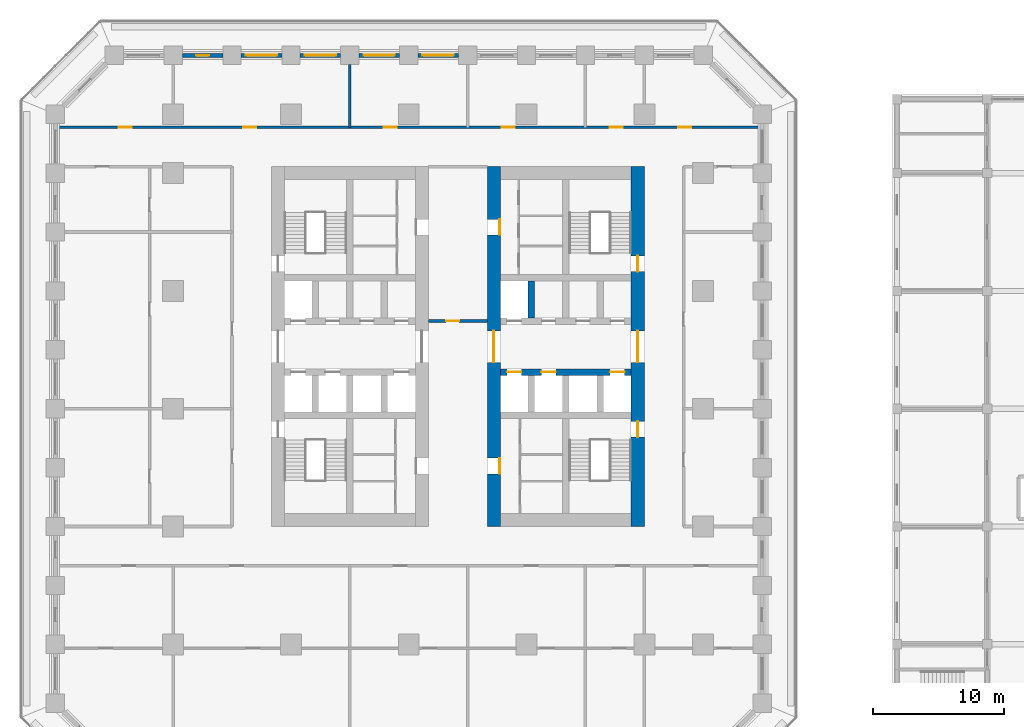
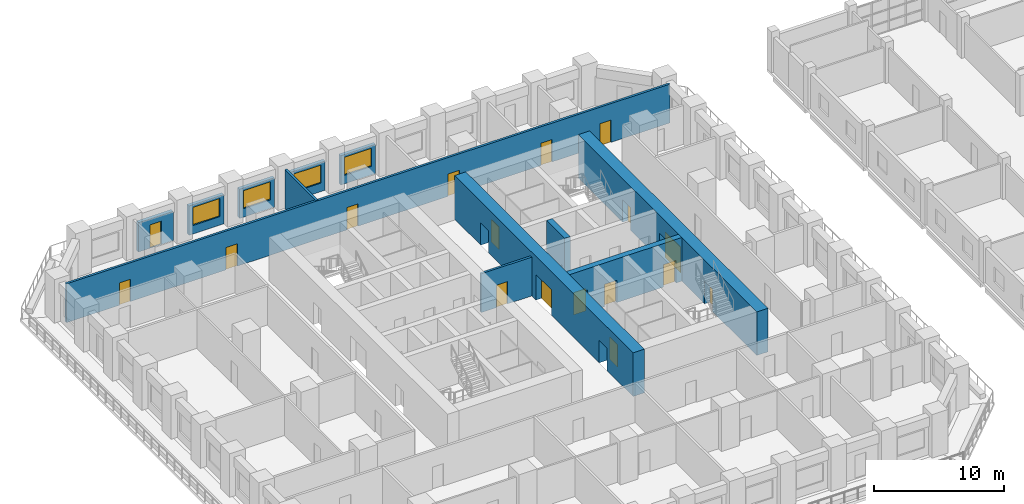
# One storey, part 29 of 42: 17 doors, 12 walls, 4 windows, 21 openings.
"""IFC4 building model written with IfcOpenShell, lengths in metres."""

import ifcopenshell
import ifcopenshell.guid

model = None  # the IFC model being written
_history = None  # IfcOwnerHistory: only IFC2X3 demands one
_inside = {}  # id of a spatial element -> (the spatial element, [elements in it])
_under = {}  # id of a project, library or spatial element -> (it, [spatial elements below it])
_declared = {}  # id of a project -> (the project, [libraries it declares])
_typed = {}  # id of a type object -> (the type object, [elements of that type])
_made_of = {}  # id of a material, layer set ... -> (it, [elements and type objects made of it])


def new_model(schema):
    """Start an empty IFC model of exactly this schema.

    Asked for "IFC4X3", IfcOpenShell would pick the latest addendum, in which some entities
    have other attributes; the version numbers below select the first issue.
    IFC2X3 requires an IfcOwnerHistory on every rooted entity: one is made here for all.
    """
    global model, _history
    if schema == "IFC4X3":
        model = ifcopenshell.file(schema_version=(4, 3, 0, 0))
    else:
        model = ifcopenshell.file(schema=schema)
    _inside.clear()
    _under.clear()
    _declared.clear()
    _typed.clear()
    _made_of.clear()
    _history = None
    if model.schema == "IFC2X3":
        org = make("IfcOrganization", Name="unknown")
        user = make(
            "IfcPersonAndOrganization",
            ThePerson=make("IfcPerson", FamilyName="unknown"),
            TheOrganization=org,
        )
        app = make(
            "IfcApplication",
            ApplicationDeveloper=org,
            Version="unknown",
            ApplicationFullName="unknown",
            ApplicationIdentifier="unknown",
        )
        _history = make(
            "IfcOwnerHistory",
            OwningUser=user,
            OwningApplication=app,
            ChangeAction="ADDED",
            CreationDate=0,
        )
    return model


def make(cls, **values):
    """One entity of the class cls with the attributes given. An attribute that is None is left unset."""
    return model.create_entity(
        cls, **{name: value for name, value in values.items() if value is not None}
    )


def rooted(cls, **values):
    """An entity with a GlobalId (a new one), such as an element, a storey or a relation."""
    return make(cls, GlobalId=ifcopenshell.guid.new(), OwnerHistory=_history, **values)


def si_unit(unit_type, name, prefix=None):
    """IfcSIUnit, for example si_unit("LENGTHUNIT", "METRE", prefix="MILLI")."""
    return make("IfcSIUnit", UnitType=unit_type, Prefix=prefix, Name=name)


def assignment(units):
    """IfcUnitAssignment: the units of a project."""
    return None if units is None else make("IfcUnitAssignment", Units=units)


def point(xyz):
    """IfcCartesianPoint."""
    return None if xyz is None else make("IfcCartesianPoint", Coordinates=xyz)


def direction(xyz):
    """IfcDirection."""
    return None if xyz is None else make("IfcDirection", DirectionRatios=xyz)


def frame(location, z_axis=None, x_axis=None):
    """IfcAxis2Placement3D, a coordinate frame: its origin and axes. An axis left out is left unset."""
    return make(
        "IfcAxis2Placement3D",
        Location=point(location),
        Axis=direction(z_axis),
        RefDirection=direction(x_axis),
    )


def frame_2d(location, x_axis=None):
    """IfcAxis2Placement2D, a coordinate frame in the plane: its origin and x axis."""
    return make(
        "IfcAxis2Placement2D", Location=point(location), RefDirection=direction(x_axis)
    )


def origin():
    """The frame at (0, 0, 0) with its axes left unset."""
    return frame((0.0, 0.0, 0.0))


def place(relative_to, where):
    """IfcLocalPlacement: puts the frame where relative to a parent placement (None: the world)."""
    return make(
        "IfcLocalPlacement", PlacementRelTo=relative_to, RelativePlacement=where
    )


def context(
    kind, dimensions, precision=None, world=None, true_north=None, identifier=None
):
    """IfcGeometricRepresentationContext, for example the 3D "Model" context."""
    return make(
        "IfcGeometricRepresentationContext",
        ContextIdentifier=identifier,
        ContextType=kind,
        CoordinateSpaceDimension=dimensions,
        Precision=precision,
        WorldCoordinateSystem=world,
        TrueNorth=true_north,
    )


def subcontext(parent, identifier, kind, view, scale=None):
    """IfcGeometricRepresentationSubContext, for example "Body" below "Model"."""
    return make(
        "IfcGeometricRepresentationSubContext",
        ContextIdentifier=identifier,
        ContextType=kind,
        ParentContext=parent,
        TargetScale=scale,
        TargetView=view,
    )


def project(units=None, contexts=None):
    """IfcProject with its units and contexts."""
    return rooted(
        "IfcProject",
        Name="project",
        RepresentationContexts=contexts,
        UnitsInContext=assignment(units),
    )


def spatial(cls, under=None, at=None, **own):
    """A site, building, storey or space (cls), placed at a placement, below another one or the project."""
    s = rooted(cls, ObjectPlacement=at, **own)
    if under is not None:
        _under.setdefault(under.id(), (under, []))[1].append(s)
    return s


def profile(cls, at=None, kind="AREA", **sizes):
    """A parametric profile (cls). Its sizes go by their IFC names, for example OverallWidth=200.0."""
    return make(cls, ProfileType=kind, Position=at, **sizes)


def rectangle(**sizes):
    """IfcRectangleProfileDef."""
    return profile("IfcRectangleProfileDef", **sizes)


def extrude(swept, where, along, depth):
    """IfcExtrudedAreaSolid: the profile swept, set in the frame where, extruded along a direction by depth."""
    return make(
        "IfcExtrudedAreaSolid",
        SweptArea=swept,
        Position=where,
        ExtrudedDirection=direction(along),
        Depth=depth,
    )


def shape(context_of_items, identifier, shape_type, items):
    """IfcShapeRepresentation: the items that make up one representation, for example the "Body"."""
    return make(
        "IfcShapeRepresentation",
        ContextOfItems=context_of_items,
        RepresentationIdentifier=identifier,
        RepresentationType=shape_type,
        Items=items,
    )


def material(Name=None, Category=None):
    """IfcMaterial."""
    return make("IfcMaterial", Name=Name, Category=Category)


def layer(
    of_material, thickness, ventilated=None, Name=None, Category=None, Priority=None
):
    """IfcMaterialLayer: one layer of a wall or slab, of a material (None: an air gap)."""
    return make(
        "IfcMaterialLayer",
        Material=of_material,
        LayerThickness=thickness,
        IsVentilated=ventilated,
        Name=Name,
        Category=Category,
        Priority=Priority,
    )


def layer_set(layers, Name=None):
    """IfcMaterialLayerSet."""
    return make("IfcMaterialLayerSet", MaterialLayers=layers, LayerSetName=Name)


def made_of(thing, what):
    """Note that an element or type object is made of a material, layer set ...; save() writes the relation."""
    if what is not None:
        _made_of.setdefault(what.id(), (what, []))[1].append(thing)
    return thing


def type_object(cls, material=None, **own):
    """A type object (cls), such as IfcWallType, which elements share."""
    return made_of(rooted(cls, **own), material)


def element(
    cls,
    number,
    at=None,
    inside=None,
    cuts=None,
    type_object=None,
    material=None,
    context=None,
    identifier="Body",
    shape_type=None,
    held_by="IfcProductDefinitionShape",
    body=None,
    shapes=None,
    **own,
):
    """One element of the class cls, such as IfcWall. Its Tag is "e" and its number.

    at: its placement. inside: the storey or other place that contains it. cuts: it is an
    opening in that element (IfcRelVoidsElement). A single representation is given by context,
    identifier, shape_type and body (its items); several are given by shapes. held_by: the class
    of the entity that holds the representations. save() writes the other relations.
    """
    e = rooted(cls, Tag="e%d" % number, ObjectPlacement=at, **own)
    if body is not None:
        shapes = [shape(context, identifier, shape_type, body)]
    if shapes is not None:
        e.Representation = make(held_by, Representations=shapes)
    if inside is not None:
        _inside.setdefault(inside.id(), (inside, []))[1].append(e)
    if cuts is not None:
        rooted(
            "IfcRelVoidsElement", RelatingBuildingElement=cuts, RelatedOpeningElement=e
        )
    if type_object is not None:
        _typed.setdefault(type_object.id(), (type_object, []))[1].append(e)
    return made_of(e, material)


def fill(opening, filler):
    """IfcRelFillsElement: the door or window that sits in an opening."""
    return rooted(
        "IfcRelFillsElement",
        RelatingOpeningElement=opening,
        RelatedBuildingElement=filler,
    )


def aggregate(whole, parts):
    """IfcRelAggregates: a whole, such as a stair, and the parts it consists of."""
    return rooted("IfcRelAggregates", RelatingObject=whole, RelatedObjects=parts)


def save(model, path):
    """Write the relations noted so far, then the file.

    IfcRelAggregates (storeys below a building ...), IfcRelContainedInSpatialStructure (elements
    in a storey), IfcRelDefinesByType, IfcRelAssociatesMaterial and IfcRelDeclares: one each for
    every whole, place, type object, material and project.
    """
    for whole, parts in _under.values():
        aggregate(whole, parts)
    for where, things in _inside.values():
        rooted(
            "IfcRelContainedInSpatialStructure",
            RelatedElements=things,
            RelatingStructure=where,
        )
    for kind, things in _typed.values():
        rooted("IfcRelDefinesByType", RelatedObjects=things, RelatingType=kind)
    for what, things in _made_of.values():
        rooted("IfcRelAssociatesMaterial", RelatedObjects=things, RelatingMaterial=what)
    for by, libraries in _declared.values():
        rooted("IfcRelDeclares", RelatingContext=by, RelatedDefinitions=libraries)
    model.write(path)


model = new_model("IFC4")

# Units and contexts
model_context = context("Model", 3, precision=1e-05, world=origin(), true_north=direction((0.0, 1.0)))
body_context = subcontext(model_context, "Body", "Model", "MODEL_VIEW")
ifc_project = project(units=[si_unit("LENGTHUNIT", "METRE"), si_unit("AREAUNIT", "SQUARE_METRE"), si_unit("VOLUMEUNIT", "CUBIC_METRE"), si_unit("PLANEANGLEUNIT", "RADIAN"), si_unit("MASSUNIT", "GRAM", prefix="KILO")], contexts=[model_context])

# Site, building, storey
site_placement = place(None, origin())
site = spatial("IfcSite", under=ifc_project, at=site_placement, CompositionType="ELEMENT")
building_placement = place(site_placement, origin())
building = spatial("IfcBuilding", under=site, at=building_placement, Name="Corbel Stack Research Tower", CompositionType="ELEMENT")
storey_placement = place(building_placement, frame((0.0, 0.0, 11.300048828125)))
storey = spatial("IfcBuildingStorey", under=building, at=storey_placement, Name="L02", CompositionType="ELEMENT", Elevation=11.300048828125)

# Wall, openings, doors
ifc_material_1 = material(Name="Concrete C70/85", Category="concrete")
ifc_layer_1 = layer(ifc_material_1, 1.0)
ifc_layer_set_1 = layer_set([ifc_layer_1], Name="Concrete C70/85")
wall_type_1 = type_object("IfcWallType", Name="CW-1000-70", PredefinedType="SHEAR", material=ifc_layer_set_1)
wall_1_placement = place(storey_placement, frame((6.5, -9.0, 0.0), z_axis=(0.0, 0.0, 1.0), x_axis=(0.0, 1.0, 0.0)))
wall_1 = element("IfcWall", 1, at=wall_1_placement, inside=storey, type_object=wall_type_1, Name="East core wall, west face L02", PredefinedType="SHEAR", context=body_context, shape_type="SweptSolid", body=[
    extrude(rectangle(XDim=27.5, YDim=1.0, at=frame_2d((13.75, 0.0))), origin(), (0.0, 0.0, 1.0), 4.099853515625),
])
opening_1_placement = place(wall_1_placement, frame((12.550048828125, 0.0, 0.0)))
opening_1 = element("IfcOpeningElement", 2, at=opening_1_placement, cuts=wall_1, Name="Opening CD-E-W", PredefinedType="OPENING", context=body_context, shape_type="SweptSolid", body=[
    extrude(rectangle(XDim=2.39990234375, YDim=2.39990234375, at=frame_2d((1.199951171875, 1.199951171875))), frame((0.0, 0.510009765625, 0.0), z_axis=(0.0, -1.0, 0.0), x_axis=(1.0, 0.0, 0.0)), (0.0, 0.0, 1.0), 1.02001953125),
])
opening_2_placement = place(wall_1_placement, frame((4.02490234375, 0.0, 0.0)))
opening_2 = element("IfcOpeningElement", 3, at=opening_2_placement, cuts=wall_1, Name="Opening CR-E12-W1-1200", PredefinedType="OPENING", context=body_context, shape_type="SweptSolid", body=[
    extrude(rectangle(XDim=1.199951171875, YDim=2.10009765625, at=frame_2d((0.60009765625, 1.050048828125))), frame((0.0, 0.510009765625, 0.0), z_axis=(0.0, -1.0, 0.0), x_axis=(1.0, 0.0, 0.0)), (0.0, 0.0, 1.0), 1.02001953125),
])
opening_3_placement = place(wall_1_placement, frame((22.27490234375, 0.0, 0.0)))
opening_3 = element("IfcOpeningElement", 4, at=opening_3_placement, cuts=wall_1, Name="Opening CR-E12-R1-1200", PredefinedType="OPENING", context=body_context, shape_type="SweptSolid", body=[
    extrude(rectangle(XDim=1.199951171875, YDim=2.10009765625, at=frame_2d((0.60009765625, 1.050048828125))), frame((0.0, 0.510009765625, 0.0), z_axis=(0.0, -1.0, 0.0), x_axis=(1.0, 0.0, 0.0)), (0.0, 0.0, 1.0), 1.02001953125),
])
ifc_material_2 = material(Name="Painted steel fire door", Category="steel")
door_type_1 = type_object("IfcDoorType", Name="Lobby door pair 2400 x 2400 FD30S", OperationType="DOUBLE_DOOR_DOUBLE_SWING", PredefinedType="DOOR", material=ifc_material_2)
door_1_placement = place(opening_1_placement, origin())
door_1 = element("IfcDoor", 5, at=door_1_placement, inside=storey, type_object=door_type_1, Name="Lift lobby door E core W", OperationType="DOUBLE_DOOR_DOUBLE_SWING", OverallHeight=2.39990234375, OverallWidth=2.39990234375, PredefinedType="DOOR", context=body_context, shape_type="SweptSolid", body=[
    extrude(rectangle(XDim=2.39990234375, YDim=2.39990234375, at=frame_2d((1.199951171875, 1.199951171875))), frame((0.0, 0.02490234375, 0.0), z_axis=(0.0, -1.0, 0.0), x_axis=(1.0, 0.0, 0.0)), (0.0, 0.0, 1.0), 0.050048828125),
])
fill(opening_1, door_1)
ifc_material_3 = material(Name="Painted steel door", Category="steel")
door_type_2 = type_object("IfcDoorType", Name="Service door 1200 x 2100 FD30 right hand", OperationType="SINGLE_SWING_RIGHT", PredefinedType="DOOR", material=ifc_material_3)
door_2_placement = place(opening_3_placement, origin())
door_2 = element("IfcDoor", 6, at=door_2_placement, inside=storey, type_object=door_type_2, Name="Service passage door E core", OperationType="SINGLE_SWING_RIGHT", OverallHeight=2.10009765625, OverallWidth=1.199951171875, PredefinedType="DOOR", context=body_context, shape_type="SweptSolid", body=[
    extrude(rectangle(XDim=1.199951171875, YDim=2.10009765625, at=frame_2d((0.60009765625, 1.050048828125))), frame((0.0, -0.4248046875, 0.0), z_axis=(0.0, -1.0, 0.0), x_axis=(1.0, 0.0, 0.0)), (0.0, 0.0, 1.0), 0.050048828125),
])
fill(opening_3, door_2)
ifc_material_4 = material(Name="Painted timber door", Category="wood")
door_type_3 = type_object("IfcDoorType", Name="WC door 1200 x 2100 right hand", OperationType="SINGLE_SWING_RIGHT", PredefinedType="DOOR", material=ifc_material_4)
door_3_placement = place(opening_2_placement, origin())
door_3 = element("IfcDoor", 7, at=door_3_placement, inside=storey, type_object=door_type_3, Name="WC lobby door E core", OperationType="SINGLE_SWING_RIGHT", OverallHeight=2.10009765625, OverallWidth=1.199951171875, PredefinedType="DOOR", context=body_context, shape_type="SweptSolid", body=[
    extrude(rectangle(XDim=1.199951171875, YDim=2.10009765625, at=frame_2d((0.60009765625, 1.050048828125))), frame((0.0, -0.4248046875, 0.0), z_axis=(0.0, -1.0, 0.0), x_axis=(1.0, 0.0, 0.0)), (0.0, 0.0, 1.0), 0.050048828125),
])
fill(opening_2, door_3)

wall_2_placement = place(storey_placement, frame((17.5, -9.0, 0.0), z_axis=(0.0, 0.0, 1.0), x_axis=(0.0, 1.0, 0.0)))
wall_2 = element("IfcWall", 8, at=wall_2_placement, inside=storey, type_object=wall_type_1, Name="East core wall, east face L02", PredefinedType="SHEAR", context=body_context, shape_type="SweptSolid", body=[
    extrude(rectangle(XDim=27.5, YDim=1.0, at=frame_2d((13.75, 0.0))), origin(), (0.0, 0.0, 1.0), 4.099853515625),
])
opening_4_placement = place(wall_2_placement, frame((12.550048828125, 0.0, 0.0)))
opening_4 = element("IfcOpeningElement", 9, at=opening_4_placement, cuts=wall_2, Name="Opening CD-E-E", PredefinedType="OPENING", context=body_context, shape_type="SweptSolid", body=[
    extrude(rectangle(XDim=2.39990234375, YDim=2.39990234375, at=frame_2d((1.199951171875, 1.199951171875))), frame((0.0, 0.510009765625, 0.0), z_axis=(0.0, -1.0, 0.0), x_axis=(1.0, 0.0, 0.0)), (0.0, 0.0, 1.0), 1.02001953125),
])
opening_5_placement = place(wall_2_placement, frame((6.824951171875, 0.0, 0.0)))
opening_5 = element("IfcOpeningElement", 10, at=opening_5_placement, cuts=wall_2, Name="Opening SD-ST-E1", PredefinedType="OPENING", context=body_context, shape_type="SweptSolid", body=[
    extrude(rectangle(XDim=1.199951171875, YDim=2.10009765625, at=frame_2d((0.60009765625, 1.050048828125))), frame((0.0, 0.510009765625, 0.0), z_axis=(0.0, -1.0, 0.0), x_axis=(1.0, 0.0, 0.0)), (0.0, 0.0, 1.0), 1.02001953125),
])
opening_6_placement = place(wall_2_placement, frame((19.47509765625, 0.0, 0.0)))
opening_6 = element("IfcOpeningElement", 11, at=opening_6_placement, cuts=wall_2, Name="Opening SD-ST-E2", PredefinedType="OPENING", context=body_context, shape_type="SweptSolid", body=[
    extrude(rectangle(XDim=1.199951171875, YDim=2.10009765625, at=frame_2d((0.60009765625, 1.050048828125))), frame((0.0, 0.510009765625, 0.0), z_axis=(0.0, -1.0, 0.0), x_axis=(1.0, 0.0, 0.0)), (0.0, 0.0, 1.0), 1.02001953125),
])
door_4_placement = place(opening_4_placement, origin())
door_4 = element("IfcDoor", 12, at=door_4_placement, inside=storey, type_object=door_type_1, Name="Lift lobby door E core E", OperationType="DOUBLE_DOOR_DOUBLE_SWING", OverallHeight=2.39990234375, OverallWidth=2.39990234375, PredefinedType="DOOR", context=body_context, shape_type="SweptSolid", body=[
    extrude(rectangle(XDim=2.39990234375, YDim=2.39990234375, at=frame_2d((1.199951171875, 1.199951171875))), frame((0.0, 0.02490234375, 0.0), z_axis=(0.0, -1.0, 0.0), x_axis=(1.0, 0.0, 0.0)), (0.0, 0.0, 1.0), 0.050048828125),
])
fill(opening_4, door_4)
ifc_material_5 = material(Name="Painted steel fire door", Category="steel")
door_type_4 = type_object("IfcDoorType", Name="Stair door 1200 x 2100 FD90 right hand", OperationType="SINGLE_SWING_RIGHT", PredefinedType="DOOR", material=ifc_material_5)
door_5_placement = place(opening_5_placement, frame((1.199951171875, 0.0, 0.0), z_axis=(0.0, 0.0, 1.0), x_axis=(-1.0, 0.0, 0.0)))
door_5 = element("IfcDoor", 13, at=door_5_placement, inside=storey, type_object=door_type_4, Name="Stair door ST-E1", OperationType="SINGLE_SWING_LEFT", OverallHeight=2.10009765625, OverallWidth=1.199951171875, PredefinedType="DOOR", context=body_context, shape_type="SweptSolid", body=[
    extrude(rectangle(XDim=1.199951171875, YDim=2.10009765625, at=frame_2d((0.60009765625, 1.050048828125))), frame((0.0, 0.02490234375, 0.0), z_axis=(0.0, -1.0, 0.0), x_axis=(1.0, 0.0, 0.0)), (0.0, 0.0, 1.0), 0.050048828125),
])
fill(opening_5, door_5)
door_6_placement = place(opening_6_placement, frame((1.199951171875, 0.0, 0.0), z_axis=(0.0, 0.0, 1.0), x_axis=(-1.0, 0.0, 0.0)))
door_6 = element("IfcDoor", 14, at=door_6_placement, inside=storey, type_object=door_type_4, Name="Stair door ST-E2", OperationType="SINGLE_SWING_LEFT", OverallHeight=2.10009765625, OverallWidth=1.199951171875, PredefinedType="DOOR", context=body_context, shape_type="SweptSolid", body=[
    extrude(rectangle(XDim=1.199951171875, YDim=2.10009765625, at=frame_2d((0.60009765625, 1.050048828125))), frame((0.0, 0.02490234375, 0.0), z_axis=(0.0, -1.0, 0.0), x_axis=(1.0, 0.0, 0.0)), (0.0, 0.0, 1.0), 0.050048828125),
])
fill(opening_6, door_6)

ifc_material_6 = material(Name="Concrete C70/85", Category="concrete")
ifc_layer_2 = layer(ifc_material_6, 0.5)
ifc_layer_set_2 = layer_set([ifc_layer_2], Name="Concrete C70/85")
wall_type_2 = type_object("IfcWallType", Name="CW-500-70", PredefinedType="SHEAR", material=ifc_layer_set_2)
wall_3_placement = place(storey_placement, frame((7.0, 2.800048828125, 0.0), z_axis=(0.0, 0.0, 1.0), x_axis=(1.0, 0.0, 0.0)))
wall_3 = element("IfcWall", 15, at=wall_3_placement, inside=storey, type_object=wall_type_2, Name="East core wall, lobby south L02", PredefinedType="SHEAR", context=body_context, shape_type="SweptSolid", body=[
    extrude(rectangle(XDim=10.0, YDim=0.5, at=frame_2d((5.0, 0.0))), origin(), (0.0, 0.0, 1.0), 4.099853515625),
])
opening_7_placement = place(wall_3_placement, frame((0.512451171875, 0.0, 0.0)))
opening_7 = element("IfcOpeningElement", 16, at=opening_7_placement, cuts=wall_3, Name="Opening LD-FS2", PredefinedType="OPENING", context=body_context, shape_type="SweptSolid", body=[
    extrude(rectangle(XDim=1.10009765625, YDim=2.10009765625, at=frame_2d((0.550048828125, 1.050048828125))), frame((0.0, 0.260009765625, 0.0), z_axis=(0.0, -1.0, 0.0), x_axis=(1.0, 0.0, 0.0)), (0.0, 0.0, 1.0), 0.52001953125),
])
opening_8_placement = place(wall_3_placement, frame((3.137451171875, 0.0, 0.0)))
opening_8 = element("IfcOpeningElement", 17, at=opening_8_placement, cuts=wall_3, Name="Opening LD-GL2", PredefinedType="OPENING", context=body_context, shape_type="SweptSolid", body=[
    extrude(rectangle(XDim=1.10009765625, YDim=2.10009765625, at=frame_2d((0.550048828125, 1.050048828125))), frame((0.0, 0.260009765625, 0.0), z_axis=(0.0, -1.0, 0.0), x_axis=(1.0, 0.0, 0.0)), (0.0, 0.0, 1.0), 0.52001953125),
])
opening_9_placement = place(wall_3_placement, frame((8.387451171875, 0.0, 0.0)))
opening_9 = element("IfcOpeningElement", 18, at=opening_9_placement, cuts=wall_3, Name="Opening LD-LR3", PredefinedType="OPENING", context=body_context, shape_type="SweptSolid", body=[
    extrude(rectangle(XDim=1.10009765625, YDim=2.10009765625, at=frame_2d((0.550048828125, 1.050048828125))), frame((0.0, 0.260009765625, 0.0), z_axis=(0.0, -1.0, 0.0), x_axis=(1.0, 0.0, 0.0)), (0.0, 0.0, 1.0), 0.52001953125),
])
ifc_material_7 = material(Name="Stainless steel landing door", Category="steel")
door_type_5 = type_object("IfcDoorType", Name="Lift landing door 1100 x 2100", OperationType="DOUBLE_DOOR_SLIDING", PredefinedType="DOOR", material=ifc_material_7)
door_7_placement = place(opening_7_placement, origin())
door_7 = element("IfcDoor", 19, at=door_7_placement, inside=storey, type_object=door_type_5, Name="Landing door FS2", OperationType="DOUBLE_DOOR_SLIDING", OverallHeight=2.10009765625, OverallWidth=1.10009765625, PredefinedType="DOOR", context=body_context, shape_type="SweptSolid", body=[
    extrude(rectangle(XDim=1.10009765625, YDim=2.10009765625, at=frame_2d((0.550048828125, 1.050048828125))), frame((0.0, 0.02490234375, 0.0), z_axis=(0.0, -1.0, 0.0), x_axis=(1.0, 0.0, 0.0)), (0.0, 0.0, 1.0), 0.050048828125),
])
fill(opening_7, door_7)
door_8_placement = place(opening_8_placement, origin())
door_8 = element("IfcDoor", 20, at=door_8_placement, inside=storey, type_object=door_type_5, Name="Landing door GL2", OperationType="DOUBLE_DOOR_SLIDING", OverallHeight=2.10009765625, OverallWidth=1.10009765625, PredefinedType="DOOR", context=body_context, shape_type="SweptSolid", body=[
    extrude(rectangle(XDim=1.10009765625, YDim=2.10009765625, at=frame_2d((0.550048828125, 1.050048828125))), frame((0.0, 0.02490234375, 0.0), z_axis=(0.0, -1.0, 0.0), x_axis=(1.0, 0.0, 0.0)), (0.0, 0.0, 1.0), 0.050048828125),
])
fill(opening_8, door_8)
door_9_placement = place(opening_9_placement, origin())
door_9 = element("IfcDoor", 21, at=door_9_placement, inside=storey, type_object=door_type_5, Name="Landing door LR3", OperationType="DOUBLE_DOOR_SLIDING", OverallHeight=2.10009765625, OverallWidth=1.10009765625, PredefinedType="DOOR", context=body_context, shape_type="SweptSolid", body=[
    extrude(rectangle(XDim=1.10009765625, YDim=2.10009765625, at=frame_2d((0.550048828125, 1.050048828125))), frame((0.0, 0.02490234375, 0.0), z_axis=(0.0, -1.0, 0.0), x_axis=(1.0, 0.0, 0.0)), (0.0, 0.0, 1.0), 0.050048828125),
])
fill(opening_9, door_9)

# Walls
wall_4_placement = place(storey_placement, frame((9.375, 6.949951171875, 0.0), z_axis=(0.0, 0.0, 1.0), x_axis=(0.0, 1.0, 0.0)))
element("IfcWall", 22, at=wall_4_placement, inside=storey, type_object=wall_type_2, Name="East core wall, north shaft 1 L02", PredefinedType="SHEAR", context=body_context, shape_type="SweptSolid", body=[
    extrude(rectangle(XDim=2.800048828125, YDim=0.5, at=frame_2d((1.39990234375, 0.0))), origin(), (0.0, 0.0, 1.0), 4.099853515625),
])
ifc_material_8 = material(Name="Fire-rated gypsum board partition on steel studs", Category="steel")
ifc_layer_3 = layer(ifc_material_8, 0.199951171875)
ifc_layer_set_3 = layer_set([ifc_layer_3], Name="Fire-rated gypsum board partition on steel studs")
wall_type_3 = type_object("IfcWallType", Name="Fire-rated partition 200 EI 60", PredefinedType="PARTITIONING", material=ifc_layer_set_3)
wall_5_placement = place(storey_placement, frame((-4.5, 21.5, 0.0), z_axis=(0.0, 0.0, 1.0), x_axis=(0.0, 1.0, 0.0)))
element("IfcWall", 23, at=wall_5_placement, inside=storey, type_object=wall_type_3, Name="Partition L02-007", PredefinedType="PARTITIONING", context=body_context, shape_type="SweptSolid", body=[
    extrude(rectangle(XDim=4.800048828125, YDim=0.199951171875, at=frame_2d((2.39990234375, 0.0))), origin(), (0.0, 0.0, 1.0), 3.64990234375),
])

# Wall, opening, door
wall_6_placement = place(storey_placement, frame((1.5, 6.699951171875, 0.0), z_axis=(0.0, 0.0, 1.0), x_axis=(1.0, 0.0, 0.0)))
wall_6 = element("IfcWall", 24, at=wall_6_placement, inside=storey, type_object=wall_type_3, Name="Partition L02-032", PredefinedType="PARTITIONING", context=body_context, shape_type="SweptSolid", body=[
    extrude(rectangle(XDim=4.5, YDim=0.199951171875, at=frame_2d((2.25, 0.0))), origin(), (0.0, 0.0, 1.0), 3.64990234375),
])
opening_10_placement = place(wall_6_placement, frame((1.35009765625, 0.0, 0.0)))
opening_10 = element("IfcOpeningElement", 25, at=opening_10_placement, cuts=wall_6, Name="Opening B1V0-018", PredefinedType="OPENING", context=body_context, shape_type="SweptSolid", body=[
    extrude(rectangle(XDim=1.0, YDim=2.10009765625, at=frame_2d((0.5, 1.050048828125))), frame((0.0, 0.10986328125, 0.0), z_axis=(0.0, -1.0, 0.0), x_axis=(1.0, 0.0, 0.0)), (0.0, 0.0, 1.0), 0.219970703125),
])
ifc_material_9 = material(Name="Painted steel fire door", Category="steel")
door_type_6 = type_object("IfcDoorType", Name="Fire door FD30S 1000 x 2100", OperationType="NOTDEFINED", PredefinedType="DOOR", material=ifc_material_9)
door_10_placement = place(opening_10_placement, origin())
door_10 = element("IfcDoor", 26, at=door_10_placement, inside=storey, type_object=door_type_6, Name="Door B1V0-018", OperationType="SINGLE_SWING_LEFT", OverallHeight=2.10009765625, OverallWidth=1.0, PredefinedType="DOOR", context=body_context, shape_type="SweptSolid", body=[
    extrude(rectangle(XDim=1.0, YDim=2.10009765625, at=frame_2d((0.5, 1.050048828125))), frame((0.0, 0.02490234375, 0.0), z_axis=(0.0, -1.0, 0.0), x_axis=(1.0, 0.0, 0.0)), (0.0, 0.0, 1.0), 0.050048828125),
])
fill(opening_10, door_10)

# Wall, openings, doors
wall_7_placement = place(storey_placement, frame((-26.85009765625, 21.5, 0.0), z_axis=(0.0, 0.0, 1.0), x_axis=(1.0, 0.0, 0.0)))
wall_7 = element("IfcWall", 27, at=wall_7_placement, inside=storey, type_object=wall_type_3, Name="Partition L02-040", PredefinedType="PARTITIONING", context=body_context, shape_type="SweptSolid", body=[
    extrude(rectangle(XDim=53.7001953125, YDim=0.199951171875, at=frame_2d((26.85009765625, 0.0))), origin(), (0.0, 0.0, 1.0), 3.64990234375),
])
opening_11_placement = place(wall_7_placement, frame((4.699951171875, 0.0, 0.0)))
opening_11 = element("IfcOpeningElement", 28, at=opening_11_placement, cuts=wall_7, Name="Opening B1V0-023", PredefinedType="OPENING", context=body_context, shape_type="SweptSolid", body=[
    extrude(rectangle(XDim=1.0, YDim=2.10009765625, at=frame_2d((0.5, 1.050048828125))), frame((0.0, 0.10986328125, 0.0), z_axis=(0.0, -1.0, 0.0), x_axis=(1.0, 0.0, 0.0)), (0.0, 0.0, 1.0), 0.219970703125),
])
opening_12_placement = place(wall_7_placement, frame((14.199951171875, 0.0, 0.0)))
opening_12 = element("IfcOpeningElement", 29, at=opening_12_placement, cuts=wall_7, Name="Opening B1V0-024", PredefinedType="OPENING", context=body_context, shape_type="SweptSolid", body=[
    extrude(rectangle(XDim=1.0, YDim=2.10009765625, at=frame_2d((0.5, 1.050048828125))), frame((0.0, 0.10986328125, 0.0), z_axis=(0.0, -1.0, 0.0), x_axis=(1.0, 0.0, 0.0)), (0.0, 0.0, 1.0), 0.219970703125),
])
opening_13_placement = place(wall_7_placement, frame((24.949951171875, 0.0, 0.0)))
opening_13 = element("IfcOpeningElement", 30, at=opening_13_placement, cuts=wall_7, Name="Opening B1V0-025", PredefinedType="OPENING", context=body_context, shape_type="SweptSolid", body=[
    extrude(rectangle(XDim=1.0, YDim=2.10009765625, at=frame_2d((0.5, 1.050048828125))), frame((0.0, 0.10986328125, 0.0), z_axis=(0.0, -1.0, 0.0), x_axis=(1.0, 0.0, 0.0)), (0.0, 0.0, 1.0), 0.219970703125),
])
opening_14_placement = place(wall_7_placement, frame((33.949951171875, 0.0, 0.0)))
opening_14 = element("IfcOpeningElement", 31, at=opening_14_placement, cuts=wall_7, Name="Opening B1V0-026", PredefinedType="OPENING", context=body_context, shape_type="SweptSolid", body=[
    extrude(rectangle(XDim=1.0, YDim=2.10009765625, at=frame_2d((0.5, 1.050048828125))), frame((0.0, 0.10986328125, 0.0), z_axis=(0.0, -1.0, 0.0), x_axis=(1.0, 0.0, 0.0)), (0.0, 0.0, 1.0), 0.219970703125),
])
opening_15_placement = place(wall_7_placement, frame((42.199951171875, 0.0, 0.0)))
opening_15 = element("IfcOpeningElement", 32, at=opening_15_placement, cuts=wall_7, Name="Opening B1V0-027", PredefinedType="OPENING", context=body_context, shape_type="SweptSolid", body=[
    extrude(rectangle(XDim=1.0, YDim=2.10009765625, at=frame_2d((0.5, 1.050048828125))), frame((0.0, 0.10986328125, 0.0), z_axis=(0.0, -1.0, 0.0), x_axis=(1.0, 0.0, 0.0)), (0.0, 0.0, 1.0), 0.219970703125),
])
opening_16_placement = place(wall_7_placement, frame((47.449951171875, 0.0, 0.0)))
opening_16 = element("IfcOpeningElement", 33, at=opening_16_placement, cuts=wall_7, Name="Opening B1V0-028", PredefinedType="OPENING", context=body_context, shape_type="SweptSolid", body=[
    extrude(rectangle(XDim=1.0, YDim=2.10009765625, at=frame_2d((0.5, 1.050048828125))), frame((0.0, 0.10986328125, 0.0), z_axis=(0.0, -1.0, 0.0), x_axis=(1.0, 0.0, 0.0)), (0.0, 0.0, 1.0), 0.219970703125),
])
door_11_placement = place(opening_11_placement, origin())
door_11 = element("IfcDoor", 34, at=door_11_placement, inside=storey, type_object=door_type_6, Name="Door B1V0-023", OperationType="SINGLE_SWING_LEFT", OverallHeight=2.10009765625, OverallWidth=1.0, PredefinedType="DOOR", context=body_context, shape_type="SweptSolid", body=[
    extrude(rectangle(XDim=1.0, YDim=2.10009765625, at=frame_2d((0.5, 1.050048828125))), frame((0.0, 0.02490234375, 0.0), z_axis=(0.0, -1.0, 0.0), x_axis=(1.0, 0.0, 0.0)), (0.0, 0.0, 1.0), 0.050048828125),
])
fill(opening_11, door_11)
door_12_placement = place(opening_12_placement, origin())
door_12 = element("IfcDoor", 35, at=door_12_placement, inside=storey, type_object=door_type_6, Name="Door B1V0-024", OperationType="SINGLE_SWING_LEFT", OverallHeight=2.10009765625, OverallWidth=1.0, PredefinedType="DOOR", context=body_context, shape_type="SweptSolid", body=[
    extrude(rectangle(XDim=1.0, YDim=2.10009765625, at=frame_2d((0.5, 1.050048828125))), frame((0.0, 0.02490234375, 0.0), z_axis=(0.0, -1.0, 0.0), x_axis=(1.0, 0.0, 0.0)), (0.0, 0.0, 1.0), 0.050048828125),
])
fill(opening_12, door_12)
door_13_placement = place(opening_13_placement, origin())
door_13 = element("IfcDoor", 36, at=door_13_placement, inside=storey, type_object=door_type_6, Name="Door B1V0-025", OperationType="SINGLE_SWING_LEFT", OverallHeight=2.10009765625, OverallWidth=1.0, PredefinedType="DOOR", context=body_context, shape_type="SweptSolid", body=[
    extrude(rectangle(XDim=1.0, YDim=2.10009765625, at=frame_2d((0.5, 1.050048828125))), frame((0.0, 0.02490234375, 0.0), z_axis=(0.0, -1.0, 0.0), x_axis=(1.0, 0.0, 0.0)), (0.0, 0.0, 1.0), 0.050048828125),
])
fill(opening_13, door_13)
door_14_placement = place(opening_14_placement, origin())
door_14 = element("IfcDoor", 37, at=door_14_placement, inside=storey, type_object=door_type_6, Name="Door B1V0-026", OperationType="SINGLE_SWING_RIGHT", OverallHeight=2.10009765625, OverallWidth=1.0, PredefinedType="DOOR", context=body_context, shape_type="SweptSolid", body=[
    extrude(rectangle(XDim=1.0, YDim=2.10009765625, at=frame_2d((0.5, 1.050048828125))), frame((0.0, 0.02490234375, 0.0), z_axis=(0.0, -1.0, 0.0), x_axis=(1.0, 0.0, 0.0)), (0.0, 0.0, 1.0), 0.050048828125),
])
fill(opening_14, door_14)
door_15_placement = place(opening_15_placement, origin())
door_15 = element("IfcDoor", 38, at=door_15_placement, inside=storey, type_object=door_type_6, Name="Door B1V0-027", OperationType="SINGLE_SWING_RIGHT", OverallHeight=2.10009765625, OverallWidth=1.0, PredefinedType="DOOR", context=body_context, shape_type="SweptSolid", body=[
    extrude(rectangle(XDim=1.0, YDim=2.10009765625, at=frame_2d((0.5, 1.050048828125))), frame((0.0, 0.02490234375, 0.0), z_axis=(0.0, -1.0, 0.0), x_axis=(1.0, 0.0, 0.0)), (0.0, 0.0, 1.0), 0.050048828125),
])
fill(opening_15, door_15)
door_16_placement = place(opening_16_placement, origin())
door_16 = element("IfcDoor", 39, at=door_16_placement, inside=storey, type_object=door_type_6, Name="Door B1V0-028", OperationType="SINGLE_SWING_RIGHT", OverallHeight=2.10009765625, OverallWidth=1.0, PredefinedType="DOOR", context=body_context, shape_type="SweptSolid", body=[
    extrude(rectangle(XDim=1.0, YDim=2.10009765625, at=frame_2d((0.5, 1.050048828125))), frame((0.0, 0.02490234375, 0.0), z_axis=(0.0, -1.0, 0.0), x_axis=(1.0, 0.0, 0.0)), (0.0, 0.0, 1.0), 0.050048828125),
])
fill(opening_16, door_16)

# Wall, opening, window
ifc_material_10 = material(Name="Concrete C45/55", Category="concrete")
ifc_layer_4 = layer(ifc_material_10, 0.300048828125)
ifc_layer_set_4 = layer_set([ifc_layer_4], Name="Concrete C45/55")
wall_type_4 = type_object("IfcWallType", Name="Terracotta-faced concrete wall 300", PredefinedType="SOLIDWALL", material=ifc_layer_set_4)
wall_8_placement = place(storey_placement, frame((0.699951171875, 27.0, 0.0), z_axis=(0.0, 0.0, 1.0), x_axis=(1.0, 0.0, 0.0)))
wall_8 = element("IfcWall", 40, at=wall_8_placement, inside=storey, type_object=wall_type_4, Name="Facade wall L02 N05", PredefinedType="SOLIDWALL", context=body_context, shape_type="SweptSolid", body=[
    extrude(rectangle(XDim=3.10009765625, YDim=0.300048828125, at=frame_2d((1.550048828125, 0.0))), origin(), (0.0, 0.0, 1.0), 2.75),
])
opening_17_placement = place(wall_8_placement, frame((0.35009765625, 0.0, 0.800048828125)))
opening_17 = element("IfcOpeningElement", 41, at=opening_17_placement, cuts=wall_8, Name="Opening W1", PredefinedType="OPENING", context=body_context, shape_type="SweptSolid", body=[
    extrude(rectangle(XDim=2.39990234375, YDim=1.699951171875, at=frame_2d((1.199951171875, 0.85009765625))), frame((0.0, 0.159912109375, 0.0), z_axis=(0.0, -1.0, 0.0), x_axis=(1.0, 0.0, 0.0)), (0.0, 0.0, 1.0), 0.320068359375),
])
ifc_material_11 = material(Name="Aluminium frame, clear double glazing", Category="aluminium")
window_type = type_object("IfcWindowType", Name="Window W1 2400 x 1700", PartitioningType="SINGLE_PANEL", PredefinedType="WINDOW", material=ifc_material_11)
window_1_placement = place(opening_17_placement, origin())
window_1 = element("IfcWindow", 42, at=window_1_placement, inside=storey, type_object=window_type, Name="Window W1 L02 N05", OverallHeight=1.699951171875, OverallWidth=2.39990234375, PartitioningType="SINGLE_PANEL", PredefinedType="WINDOW", context=body_context, shape_type="SweptSolid", body=[
    extrude(rectangle(XDim=2.39990234375, YDim=1.699951171875, at=frame_2d((1.199951171875, 0.85009765625))), frame((0.0, 0.030029296875, 0.0), z_axis=(0.0, -1.0, 0.0), x_axis=(1.0, 0.0, 0.0)), (0.0, 0.0, 1.0), 0.06005859375),
])
fill(opening_17, window_1)

wall_9_placement = place(storey_placement, frame((-3.800048828125, 27.0, 0.0), z_axis=(0.0, 0.0, 1.0), x_axis=(1.0, 0.0, 0.0)))
wall_9 = element("IfcWall", 43, at=wall_9_placement, inside=storey, type_object=wall_type_4, Name="Facade wall L02 N06", PredefinedType="SOLIDWALL", context=body_context, shape_type="SweptSolid", body=[
    extrude(rectangle(XDim=3.10009765625, YDim=0.300048828125, at=frame_2d((1.550048828125, 0.0))), origin(), (0.0, 0.0, 1.0), 2.75),
])
opening_18_placement = place(wall_9_placement, frame((0.35009765625, 0.0, 0.800048828125)))
opening_18 = element("IfcOpeningElement", 44, at=opening_18_placement, cuts=wall_9, Name="Opening W1", PredefinedType="OPENING", context=body_context, shape_type="SweptSolid", body=[
    extrude(rectangle(XDim=2.39990234375, YDim=1.699951171875, at=frame_2d((1.199951171875, 0.85009765625))), frame((0.0, 0.159912109375, 0.0), z_axis=(0.0, -1.0, 0.0), x_axis=(1.0, 0.0, 0.0)), (0.0, 0.0, 1.0), 0.320068359375),
])
window_2_placement = place(opening_18_placement, origin())
window_2 = element("IfcWindow", 45, at=window_2_placement, inside=storey, type_object=window_type, Name="Window W1 L02 N06", OverallHeight=1.699951171875, OverallWidth=2.39990234375, PartitioningType="SINGLE_PANEL", PredefinedType="WINDOW", context=body_context, shape_type="SweptSolid", body=[
    extrude(rectangle(XDim=2.39990234375, YDim=1.699951171875, at=frame_2d((1.199951171875, 0.85009765625))), frame((0.0, 0.030029296875, 0.0), z_axis=(0.0, -1.0, 0.0), x_axis=(1.0, 0.0, 0.0)), (0.0, 0.0, 1.0), 0.06005859375),
])
fill(opening_18, window_2)

wall_10_placement = place(storey_placement, frame((-8.300048828125, 27.0, 0.0), z_axis=(0.0, 0.0, 1.0), x_axis=(1.0, 0.0, 0.0)))
wall_10 = element("IfcWall", 46, at=wall_10_placement, inside=storey, type_object=wall_type_4, Name="Facade wall L02 N07", PredefinedType="SOLIDWALL", context=body_context, shape_type="SweptSolid", body=[
    extrude(rectangle(XDim=3.10009765625, YDim=0.300048828125, at=frame_2d((1.550048828125, 0.0))), origin(), (0.0, 0.0, 1.0), 2.75),
])
opening_19_placement = place(wall_10_placement, frame((0.35009765625, 0.0, 0.800048828125)))
opening_19 = element("IfcOpeningElement", 47, at=opening_19_placement, cuts=wall_10, Name="Opening W1", PredefinedType="OPENING", context=body_context, shape_type="SweptSolid", body=[
    extrude(rectangle(XDim=2.39990234375, YDim=1.699951171875, at=frame_2d((1.199951171875, 0.85009765625))), frame((0.0, 0.159912109375, 0.0), z_axis=(0.0, -1.0, 0.0), x_axis=(1.0, 0.0, 0.0)), (0.0, 0.0, 1.0), 0.320068359375),
])
window_3_placement = place(opening_19_placement, origin())
window_3 = element("IfcWindow", 48, at=window_3_placement, inside=storey, type_object=window_type, Name="Window W1 L02 N07", OverallHeight=1.699951171875, OverallWidth=2.39990234375, PartitioningType="SINGLE_PANEL", PredefinedType="WINDOW", context=body_context, shape_type="SweptSolid", body=[
    extrude(rectangle(XDim=2.39990234375, YDim=1.699951171875, at=frame_2d((1.199951171875, 0.85009765625))), frame((0.0, 0.030029296875, 0.0), z_axis=(0.0, -1.0, 0.0), x_axis=(1.0, 0.0, 0.0)), (0.0, 0.0, 1.0), 0.06005859375),
])
fill(opening_19, window_3)

wall_11_placement = place(storey_placement, frame((-12.800048828125, 27.0, 0.0), z_axis=(0.0, 0.0, 1.0), x_axis=(1.0, 0.0, 0.0)))
wall_11 = element("IfcWall", 49, at=wall_11_placement, inside=storey, type_object=wall_type_4, Name="Facade wall L02 N08", PredefinedType="SOLIDWALL", context=body_context, shape_type="SweptSolid", body=[
    extrude(rectangle(XDim=3.10009765625, YDim=0.300048828125, at=frame_2d((1.550048828125, 0.0))), origin(), (0.0, 0.0, 1.0), 2.75),
])
opening_20_placement = place(wall_11_placement, frame((0.35009765625, 0.0, 0.800048828125)))
opening_20 = element("IfcOpeningElement", 50, at=opening_20_placement, cuts=wall_11, Name="Opening W1", PredefinedType="OPENING", context=body_context, shape_type="SweptSolid", body=[
    extrude(rectangle(XDim=2.39990234375, YDim=1.699951171875, at=frame_2d((1.199951171875, 0.85009765625))), frame((0.0, 0.159912109375, 0.0), z_axis=(0.0, -1.0, 0.0), x_axis=(1.0, 0.0, 0.0)), (0.0, 0.0, 1.0), 0.320068359375),
])
window_4_placement = place(opening_20_placement, origin())
window_4 = element("IfcWindow", 51, at=window_4_placement, inside=storey, type_object=window_type, Name="Window W1 L02 N08", OverallHeight=1.699951171875, OverallWidth=2.39990234375, PartitioningType="SINGLE_PANEL", PredefinedType="WINDOW", context=body_context, shape_type="SweptSolid", body=[
    extrude(rectangle(XDim=2.39990234375, YDim=1.699951171875, at=frame_2d((1.199951171875, 0.85009765625))), frame((0.0, 0.030029296875, 0.0), z_axis=(0.0, -1.0, 0.0), x_axis=(1.0, 0.0, 0.0)), (0.0, 0.0, 1.0), 0.06005859375),
])
fill(opening_20, window_4)

# Wall, opening, door
wall_12_placement = place(storey_placement, frame((-17.300048828125, 27.0, 0.0), z_axis=(0.0, 0.0, 1.0), x_axis=(1.0, 0.0, 0.0)))
wall_12 = element("IfcWall", 52, at=wall_12_placement, inside=storey, type_object=wall_type_4, Name="Facade wall L02 N09", PredefinedType="SOLIDWALL", context=body_context, shape_type="SweptSolid", body=[
    extrude(rectangle(XDim=3.10009765625, YDim=0.300048828125, at=frame_2d((1.550048828125, 0.0))), origin(), (0.0, 0.0, 1.0), 2.75),
])
opening_21_placement = place(wall_12_placement, frame((1.050048828125, 0.0, 0.0)))
opening_21 = element("IfcOpeningElement", 53, at=opening_21_placement, cuts=wall_12, Name="Opening L02-B08", PredefinedType="OPENING", context=body_context, shape_type="SweptSolid", body=[
    extrude(rectangle(XDim=1.0, YDim=2.199951171875, at=frame_2d((0.5, 1.10009765625))), frame((0.0, 0.159912109375, 0.0), z_axis=(0.0, -1.0, 0.0), x_axis=(1.0, 0.0, 0.0)), (0.0, 0.0, 1.0), 0.320068359375),
])
ifc_material_12 = material(Name="Aluminium frame, clear double glazing", Category="aluminium")
door_type_7 = type_object("IfcDoorType", Name="Balcony door BD1 1000 x 2200", OperationType="NOTDEFINED", PredefinedType="DOOR", material=ifc_material_12)
door_17_placement = place(opening_21_placement, origin())
door_17 = element("IfcDoor", 54, at=door_17_placement, inside=storey, type_object=door_type_7, Name="Balcony door L02-B08", OperationType="SINGLE_SWING_LEFT", OverallHeight=2.199951171875, OverallWidth=1.0, PredefinedType="DOOR", context=body_context, shape_type="SweptSolid", body=[
    extrude(rectangle(XDim=1.0, YDim=2.199951171875, at=frame_2d((0.5, 1.10009765625))), frame((0.0, 0.02490234375, 0.0), z_axis=(0.0, -1.0, 0.0), x_axis=(1.0, 0.0, 0.0)), (0.0, 0.0, 1.0), 0.050048828125),
])
fill(opening_21, door_17)

save(model, "model.ifc")
